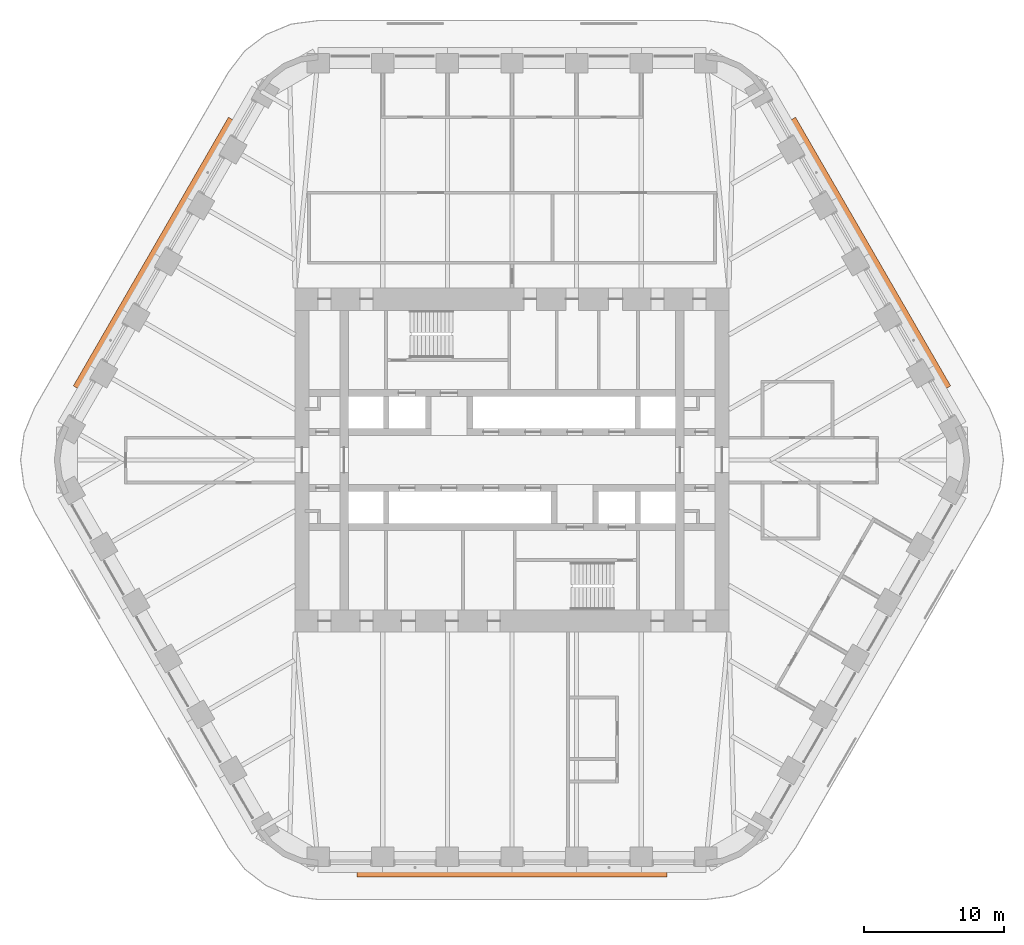
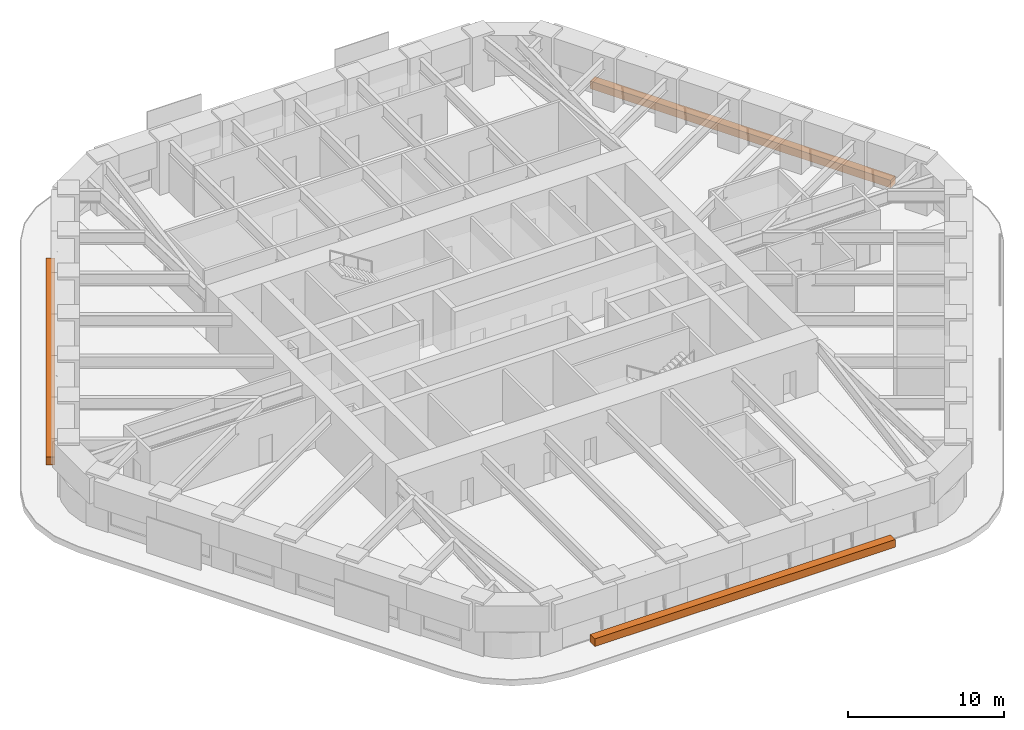
# One storey, part 20 of 20: 3 proxies.
"""IFC4 building model written with IfcOpenShell, lengths in metres."""

from ifc_helpers import new_model, si_unit, direction, frame, origin, origin_2d, place, context, subcontext, project, spatial, rectangle, extrude, material, element, save


model = new_model("IFC4")

# Units and contexts
model_context = context("Model", 3, precision=1e-05, world=origin(), true_north=direction((0.0, 1.0)))
body_context = subcontext(model_context, "Body", "Model", "MODEL_VIEW")
ifc_project = project(units=[si_unit("LENGTHUNIT", "METRE"), si_unit("AREAUNIT", "SQUARE_METRE"), si_unit("VOLUMEUNIT", "CUBIC_METRE"), si_unit("PLANEANGLEUNIT", "RADIAN"), si_unit("MASSUNIT", "GRAM", prefix="KILO")], contexts=[model_context])

# Site, building, storey
site_placement = place(None, origin())
site = spatial("IfcSite", under=ifc_project, at=site_placement, CompositionType="ELEMENT")
building_placement = place(site_placement, origin())
building = spatial("IfcBuilding", under=site, at=building_placement, Name="Tarfa Lantern Tower", CompositionType="ELEMENT")
storey_placement = place(building_placement, frame((0.0, 0.0, 228.10009765625)))
storey = spatial("IfcBuildingStorey", under=building, at=storey_placement, Name="L51", CompositionType="ELEMENT", Elevation=228.10009765625)

# Proxies
ifc_material = material(Name="Planting bed")
for number, where, z_axis, x_axis, name in (
    (1, (25.5478515625, 14.75, -0.000244140625), (0.0, 0.0, 1.0), (-0.5, 0.866025403784, 0.0), "Ledge planter"),
    (2, (-25.5478515625, 14.75, -0.000244140625), (0.0, 0.0, 1.0), (-0.5, -0.866025403784, 0.0), "Ledge planter"),
    (3, (0.0, -29.5, -0.000244140625), (0.0, 0.0, 1.0), (1.0, 0.0, 0.0), "Ledge planter"),
):
    element("IfcBuildingElementProxy", number, at=place(storey_placement, frame(where, z_axis=z_axis, x_axis=x_axis)), inside=storey, material=ifc_material, Name=name, ObjectType="PLANTER", PredefinedType="USERDEFINED", context=body_context, shape_type="SweptSolid", body=[
        extrude(rectangle(XDim=22.170166015625, YDim=0.60009765625, at=origin_2d()), origin(), (0.0, 0.0, 1.0), 0.60009765625),
    ])

save(model, "model.ifc")
